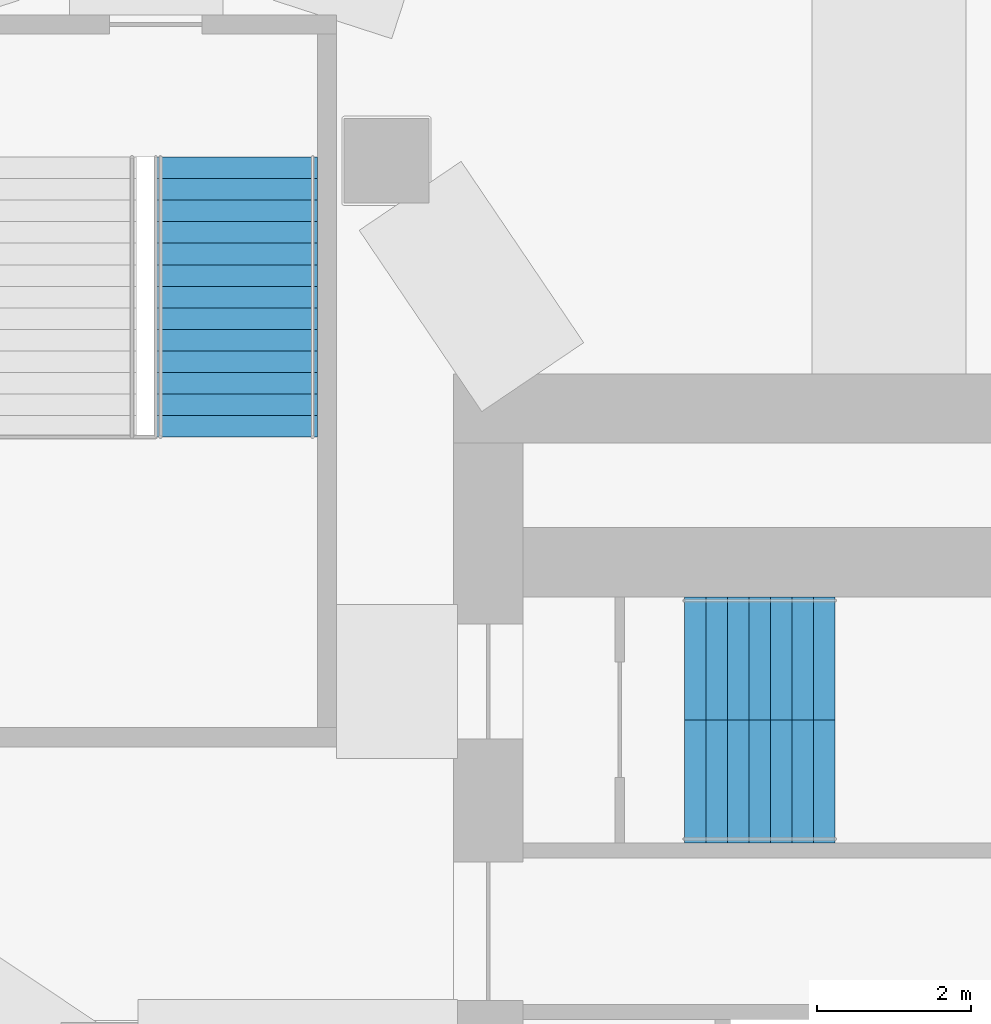
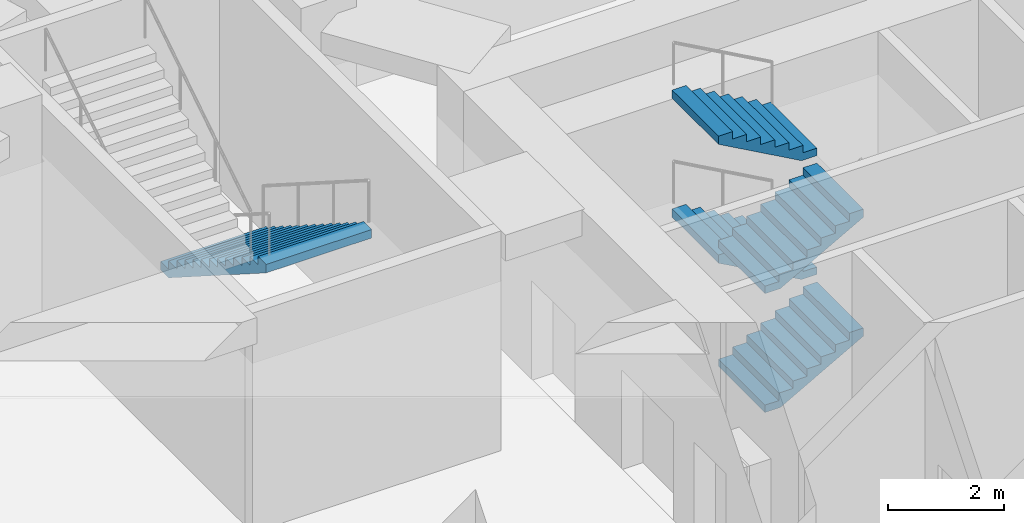
# One storey, part 26 of 30: 5 stair flights, 2 elements without a shape of their own.
"""IFC4 building model written with IfcOpenShell, lengths in metres."""

from ifc_helpers import new_model, si_unit, direction, frame, origin, place, context, subcontext, project, spatial, polyline, outline, extrude, material, type_object, element, aggregate, save


model = new_model("IFC4")

# Units and contexts
model_context = context("Model", 3, precision=1e-05, world=origin(), true_north=direction((0.0, 1.0)))
body_context = subcontext(model_context, "Body", "Model", "MODEL_VIEW")
ifc_project = project(units=[si_unit("LENGTHUNIT", "METRE"), si_unit("AREAUNIT", "SQUARE_METRE"), si_unit("VOLUMEUNIT", "CUBIC_METRE"), si_unit("PLANEANGLEUNIT", "RADIAN"), si_unit("MASSUNIT", "GRAM", prefix="KILO")], contexts=[model_context])

# Site, building, storey
site_placement = place(None, origin())
site = spatial("IfcSite", under=ifc_project, at=site_placement, CompositionType="ELEMENT")
building_placement = place(site_placement, origin())
building = spatial("IfcBuilding", under=site, at=building_placement, Name="Taillehof Tower", CompositionType="ELEMENT")
storey_placement = place(building_placement, frame((0.0, 0.0, 12.5)))
storey = spatial("IfcBuildingStorey", under=building, at=storey_placement, Name="L02", CompositionType="ELEMENT", Elevation=12.5)

# Stair, stair flights
ifc_material_1 = material(Name="Concrete C40/50", Category="concrete")
stair_type_1 = type_object("IfcStairType", Name="Exit stair half-turn", PredefinedType="HALF_TURN_STAIR", material=ifc_material_1)
stair_1_placement = place(storey_placement, origin())
stair_1 = element("IfcStair", 1, at=stair_1_placement, inside=storey, type_object=stair_type_1, Name="Exit stair S1", PredefinedType="HALF_TURN_STAIR")
ifc_material_2 = material(Name="Concrete C40/50", Category="concrete")
stair_flight_type_1 = type_object("IfcStairFlightType", Name="Stair flight 1600 riser 156.2 going 280", PredefinedType="STRAIGHT", material=ifc_material_2)
stair_flight_1_placement = place(storey_placement, frame((7.0, 6.699951171875, 0.0), z_axis=(0.0, 0.0, 1.0), x_axis=(1.0, 0.0, 0.0)))
stair_flight_1 = element("IfcStairFlight", 2, at=stair_flight_1_placement, type_object=stair_flight_type_1, Name="S1 flight 1", NumberOfRisers=8, NumberOfTreads=7, PredefinedType="STRAIGHT", RiserHeight=0.15625, TreadLength=0.28, context=body_context, shape_type="SweptSolid", body=[
    extrude(outline(polyline([(0.0, 0.0), (0.0, 0.00634765625), (0.0, 0.012451171875), (0.0, 0.018798828125), (0.0, 0.02490234375), (0.0, 0.03125), (0.0, 0.03759765625), (0.0, 0.043701171875), (0.0, 0.050048828125), (0.0, 0.05615234375), (0.0, 0.0625), (0.0, 0.06884765625), (0.0, 0.074951171875), (0.0, 0.081298828125), (0.0, 0.08740234375), (0.0, 0.09375), (0.0, 0.10009765625), (0.0, 0.106201171875), (0.0, 0.112548828125), (0.0, 0.11865234375), (0.0, 0.125), (0.0, 0.13134765625), (0.0, 0.137451171875), (0.0, 0.143798828125), (0.0, 0.14990234375), (0.0, 0.15625), (0.280029296875, 0.15625), (0.280029296875, 0.3125), (0.56005859375, 0.3125), (0.56005859375, 0.46875), (0.840087890625, 0.46875), (0.840087890625, 0.625), (1.1201171875, 0.625), (1.1201171875, 0.78125), (1.39990234375, 0.78125), (1.39990234375, 0.9375), (1.679931640625, 0.9375), (1.679931640625, 1.09375), (1.9599609375, 1.09375), (1.9599609375, 1.0869140625), (1.9599609375, 1.080078125), (1.9599609375, 1.0732421875), (1.9599609375, 1.066162109375), (1.9599609375, 1.059326171875), (1.9599609375, 1.052490234375), (1.9599609375, 1.045654296875), (1.9599609375, 1.038818359375), (1.9599609375, 1.031982421875), (1.9599609375, 1.025146484375), (1.9599609375, 1.018310546875), (1.9599609375, 1.01123046875), (1.9599609375, 1.00439453125), (1.9599609375, 0.99755859375), (1.9599609375, 0.99072265625), (1.9599609375, 0.98388671875), (1.9599609375, 0.97705078125), (1.9599609375, 0.97021484375), (1.9599609375, 0.96337890625), (1.9599609375, 0.956298828125), (1.9599609375, 0.949462890625), (1.9599609375, 0.942626953125), (1.9599609375, 0.935791015625), (1.9599609375, 0.928955078125), (1.9599609375, 0.922119140625), (0.3076171875, 0.0), (0.0, 0.0)])), frame((0.0, 0.800048828125, 0.0), z_axis=(0.0, -1.0, 0.0), x_axis=(1.0, 0.0, 0.0)), (0.0, 0.0, 1.0), 1.6),
])
stair_flight_2_placement = place(storey_placement, frame((8.9599609375, 8.300048828125, 1.25), z_axis=(0.0, 0.0, 1.0), x_axis=(-1.0, 0.0, 0.0)))
stair_flight_2 = element("IfcStairFlight", 3, at=stair_flight_2_placement, type_object=stair_flight_type_1, Name="S1 flight 2", NumberOfRisers=8, NumberOfTreads=7, PredefinedType="STRAIGHT", RiserHeight=0.15625, TreadLength=0.28, context=body_context, shape_type="SweptSolid", body=[
    extrude(outline(polyline([(0.0, 0.0), (0.0, 0.00634765625), (0.0, 0.012451171875), (0.0, 0.018798828125), (0.0, 0.02490234375), (0.0, 0.03125), (0.0, 0.03759765625), (0.0, 0.043701171875), (0.0, 0.050048828125), (0.0, 0.05615234375), (0.0, 0.0625), (0.0, 0.06884765625), (0.0, 0.074951171875), (0.0, 0.081298828125), (0.0, 0.08740234375), (0.0, 0.09375), (0.0, 0.10009765625), (0.0, 0.106201171875), (0.0, 0.112548828125), (0.0, 0.11865234375), (0.0, 0.125), (0.0, 0.13134765625), (0.0, 0.137451171875), (0.0, 0.143798828125), (0.0, 0.14990234375), (0.0, 0.15625), (0.280029296875, 0.15625), (0.280029296875, 0.3125), (0.56005859375, 0.3125), (0.56005859375, 0.46875), (0.840087890625, 0.46875), (0.840087890625, 0.625), (1.1201171875, 0.625), (1.1201171875, 0.78125), (1.39990234375, 0.78125), (1.39990234375, 0.9375), (1.679931640625, 0.9375), (1.679931640625, 1.09375), (1.9599609375, 1.09375), (1.9599609375, 1.0869140625), (1.9599609375, 1.080078125), (1.9599609375, 1.0732421875), (1.9599609375, 1.066162109375), (1.9599609375, 1.059326171875), (1.9599609375, 1.052490234375), (1.9599609375, 1.045654296875), (1.9599609375, 1.038818359375), (1.9599609375, 1.031982421875), (1.9599609375, 1.025146484375), (1.9599609375, 1.018310546875), (1.9599609375, 1.01123046875), (1.9599609375, 1.00439453125), (1.9599609375, 0.99755859375), (1.9599609375, 0.99072265625), (1.9599609375, 0.98388671875), (1.9599609375, 0.97705078125), (1.9599609375, 0.97021484375), (1.9599609375, 0.96337890625), (1.9599609375, 0.956298828125), (1.9599609375, 0.949462890625), (1.9599609375, 0.942626953125), (1.9599609375, 0.935791015625), (1.9599609375, 0.928955078125), (1.9599609375, 0.922119140625), (0.3076171875, 0.0), (0.0, 0.0)])), frame((0.0, 0.800048828125, 0.0), z_axis=(0.0, -1.0, 0.0), x_axis=(1.0, 0.0, 0.0)), (0.0, 0.0, 1.0), 1.6),
])
stair_flight_3_placement = place(storey_placement, frame((7.0, 6.699951171875, 2.5), z_axis=(0.0, 0.0, 1.0), x_axis=(1.0, 0.0, 0.0)))
stair_flight_3 = element("IfcStairFlight", 4, at=stair_flight_3_placement, type_object=stair_flight_type_1, Name="S1 flight 3", NumberOfRisers=8, NumberOfTreads=7, PredefinedType="STRAIGHT", RiserHeight=0.15625, TreadLength=0.28, context=body_context, shape_type="SweptSolid", body=[
    extrude(outline(polyline([(0.0, 0.0), (0.0, 0.00634765625), (0.0, 0.012451171875), (0.0, 0.018798828125), (0.0, 0.02490234375), (0.0, 0.03125), (0.0, 0.03759765625), (0.0, 0.043701171875), (0.0, 0.050048828125), (0.0, 0.05615234375), (0.0, 0.0625), (0.0, 0.06884765625), (0.0, 0.074951171875), (0.0, 0.081298828125), (0.0, 0.08740234375), (0.0, 0.09375), (0.0, 0.10009765625), (0.0, 0.106201171875), (0.0, 0.112548828125), (0.0, 0.11865234375), (0.0, 0.125), (0.0, 0.13134765625), (0.0, 0.137451171875), (0.0, 0.143798828125), (0.0, 0.14990234375), (0.0, 0.15625), (0.280029296875, 0.15625), (0.280029296875, 0.3125), (0.56005859375, 0.3125), (0.56005859375, 0.46875), (0.840087890625, 0.46875), (0.840087890625, 0.625), (1.1201171875, 0.625), (1.1201171875, 0.78125), (1.39990234375, 0.78125), (1.39990234375, 0.9375), (1.679931640625, 0.9375), (1.679931640625, 1.09375), (1.9599609375, 1.09375), (1.9599609375, 1.0869140625), (1.9599609375, 1.080078125), (1.9599609375, 1.0732421875), (1.9599609375, 1.066162109375), (1.9599609375, 1.059326171875), (1.9599609375, 1.052490234375), (1.9599609375, 1.045654296875), (1.9599609375, 1.038818359375), (1.9599609375, 1.031982421875), (1.9599609375, 1.025146484375), (1.9599609375, 1.018310546875), (1.9599609375, 1.01123046875), (1.9599609375, 1.00439453125), (1.9599609375, 0.99755859375), (1.9599609375, 0.99072265625), (1.9599609375, 0.98388671875), (1.9599609375, 0.97705078125), (1.9599609375, 0.97021484375), (1.9599609375, 0.96337890625), (1.9599609375, 0.956298828125), (1.9599609375, 0.949462890625), (1.9599609375, 0.942626953125), (1.9599609375, 0.935791015625), (1.9599609375, 0.928955078125), (1.9599609375, 0.922119140625), (0.3076171875, 0.0), (0.0, 0.0)])), frame((0.0, 0.800048828125, 0.0), z_axis=(0.0, -1.0, 0.0), x_axis=(1.0, 0.0, 0.0)), (0.0, 0.0, 1.0), 1.6),
])
stair_flight_4_placement = place(storey_placement, frame((8.9599609375, 8.300048828125, 3.75), z_axis=(0.0, 0.0, 1.0), x_axis=(-1.0, 0.0, 0.0)))
stair_flight_4 = element("IfcStairFlight", 5, at=stair_flight_4_placement, type_object=stair_flight_type_1, Name="S1 flight 4", NumberOfRisers=8, NumberOfTreads=7, PredefinedType="STRAIGHT", RiserHeight=0.15625, TreadLength=0.28, context=body_context, shape_type="SweptSolid", body=[
    extrude(outline(polyline([(0.0, 0.0), (0.0, 0.00634765625), (0.0, 0.012451171875), (0.0, 0.018798828125), (0.0, 0.02490234375), (0.0, 0.03125), (0.0, 0.03759765625), (0.0, 0.043701171875), (0.0, 0.050048828125), (0.0, 0.05615234375), (0.0, 0.0625), (0.0, 0.06884765625), (0.0, 0.074951171875), (0.0, 0.081298828125), (0.0, 0.08740234375), (0.0, 0.09375), (0.0, 0.10009765625), (0.0, 0.106201171875), (0.0, 0.112548828125), (0.0, 0.11865234375), (0.0, 0.125), (0.0, 0.13134765625), (0.0, 0.137451171875), (0.0, 0.143798828125), (0.0, 0.14990234375), (0.0, 0.15625), (0.280029296875, 0.15625), (0.280029296875, 0.3125), (0.56005859375, 0.3125), (0.56005859375, 0.46875), (0.840087890625, 0.46875), (0.840087890625, 0.625), (1.1201171875, 0.625), (1.1201171875, 0.78125), (1.39990234375, 0.78125), (1.39990234375, 0.9375), (1.679931640625, 0.9375), (1.679931640625, 1.09375), (1.9599609375, 1.09375), (1.9599609375, 1.0869140625), (1.9599609375, 1.080078125), (1.9599609375, 1.0732421875), (1.9599609375, 1.066162109375), (1.9599609375, 1.059326171875), (1.9599609375, 1.052490234375), (1.9599609375, 1.045654296875), (1.9599609375, 1.038818359375), (1.9599609375, 1.031982421875), (1.9599609375, 1.025146484375), (1.9599609375, 1.018310546875), (1.9599609375, 1.01123046875), (1.9599609375, 1.00439453125), (1.9599609375, 0.99755859375), (1.9599609375, 0.99072265625), (1.9599609375, 0.98388671875), (1.9599609375, 0.97705078125), (1.9599609375, 0.97021484375), (1.9599609375, 0.96337890625), (1.9599609375, 0.956298828125), (1.9599609375, 0.949462890625), (1.9599609375, 0.942626953125), (1.9599609375, 0.935791015625), (1.9599609375, 0.928955078125), (1.9599609375, 0.922119140625), (0.3076171875, 0.0), (0.0, 0.0)])), frame((0.0, 0.800048828125, 0.0), z_axis=(0.0, -1.0, 0.0), x_axis=(1.0, 0.0, 0.0)), (0.0, 0.0, 1.0), 1.6),
])
aggregate(stair_1, [stair_flight_1, stair_flight_2, stair_flight_3, stair_flight_4])

# Stair, stair flight
ifc_material_3 = material(Name="Concrete C30/37", Category="concrete")
stair_type_2 = type_object("IfcStairType", Name="Escape stair 2100 mm", PredefinedType="HALF_TURN_STAIR", material=ifc_material_3)
stair_2_placement = place(storey_placement, origin())
stair_2 = element("IfcStair", 6, at=stair_2_placement, inside=storey, type_object=stair_type_2, Name="Escape stair P1", PredefinedType="HALF_TURN_STAIR")
ifc_material_4 = material(Name="Concrete C30/37", Category="concrete")
stair_flight_type_2 = type_object("IfcStairFlightType", Name="Stair flight 2100 mm", PredefinedType="STRAIGHT", material=ifc_material_4)
stair_flight_5_placement = place(storey_placement, frame((1.175048828125, 14.820068359375, 0.0), z_axis=(0.0, 0.0, 1.0), x_axis=(0.0, -1.0, 0.0)))
stair_flight_5 = element("IfcStairFlight", 7, at=stair_flight_5_placement, type_object=stair_flight_type_2, Name="P1 flight 1", NumberOfRisers=14, NumberOfTreads=13, PredefinedType="STRAIGHT", RiserHeight=0.178571429, TreadLength=0.28, context=body_context, shape_type="SweptSolid", body=[
    extrude(outline(polyline([(0.0, 0.0), (0.0, 0.004150390625), (0.0, 0.00830078125), (0.0, 0.012451171875), (0.0, 0.0166015625), (0.0, 0.020751953125), (0.0, 0.02490234375), (0.0, 0.029052734375), (0.0, 0.033203125), (0.0, 0.037353515625), (0.0, 0.04150390625), (0.0, 0.045654296875), (0.0, 0.0498046875), (0.0, 0.053955078125), (0.0, 0.05810546875), (0.0, 0.062255859375), (0.0, 0.06640625), (0.0, 0.070556640625), (0.0, 0.07470703125), (0.0, 0.078857421875), (0.0, 0.0830078125), (0.0, 0.087158203125), (0.0, 0.09130859375), (0.0, 0.095458984375), (0.0, 0.099609375), (0.0, 0.103759765625), (0.0, 0.10791015625), (0.0, 0.112060546875), (0.0, 0.1162109375), (0.0, 0.120361328125), (0.0, 0.12451171875), (0.0, 0.128662109375), (0.0, 0.1328125), (0.0, 0.136962890625), (0.0, 0.14111328125), (0.0, 0.145263671875), (0.0, 0.1494140625), (0.0, 0.153564453125), (0.0, 0.15771484375), (0.0, 0.161865234375), (0.0, 0.166015625), (0.0, 0.170166015625), (0.0, 0.17431640625), (0.0, 0.178466796875), (0.280029296875, 0.178466796875), (0.280029296875, 0.357177734375), (0.56005859375, 0.357177734375), (0.56005859375, 0.53564453125), (0.840087890625, 0.53564453125), (0.840087890625, 0.71435546875), (1.1201171875, 0.71435546875), (1.1201171875, 0.892822265625), (1.39990234375, 0.892822265625), (1.39990234375, 1.071533203125), (1.679931640625, 1.071533203125), (1.679931640625, 1.25), (1.9599609375, 1.25), (1.9599609375, 1.428466796875), (2.239990234375, 1.428466796875), (2.239990234375, 1.607177734375), (2.52001953125, 1.607177734375), (2.52001953125, 1.78564453125), (2.800048828125, 1.78564453125), (2.800048828125, 1.96435546875), (3.080078125, 1.96435546875), (3.080078125, 2.142822265625), (3.360107421875, 2.142822265625), (3.360107421875, 2.321533203125), (3.639892578125, 2.321533203125), (3.639892578125, 2.3173828125), (3.639892578125, 2.313232421875), (3.639892578125, 2.30908203125), (3.639892578125, 2.304931640625), (3.639892578125, 2.30078125), (3.639892578125, 2.296630859375), (3.639892578125, 2.29248046875), (3.639892578125, 2.288330078125), (3.639892578125, 2.2841796875), (3.639892578125, 2.280029296875), (3.639892578125, 2.27587890625), (3.639892578125, 2.271728515625), (3.639892578125, 2.267578125), (3.639892578125, 2.263427734375), (3.639892578125, 2.259521484375), (3.639892578125, 2.25537109375), (3.639892578125, 2.251220703125), (3.639892578125, 2.2470703125), (3.639892578125, 2.242919921875), (3.639892578125, 2.23876953125), (3.639892578125, 2.234619140625), (3.639892578125, 2.23046875), (3.639892578125, 2.226318359375), (3.639892578125, 2.22216796875), (3.639892578125, 2.218017578125), (3.639892578125, 2.2138671875), (3.639892578125, 2.209716796875), (3.639892578125, 2.20556640625), (3.639892578125, 2.201416015625), (3.639892578125, 2.197265625), (3.639892578125, 2.193359375), (3.639892578125, 2.189208984375), (3.639892578125, 2.18505859375), (3.639892578125, 2.180908203125), (3.639892578125, 2.1767578125), (3.639892578125, 2.172607421875), (3.639892578125, 2.16845703125), (3.639892578125, 2.164306640625), (3.639892578125, 2.16015625), (3.639892578125, 2.156005859375), (3.639892578125, 2.15185546875), (3.639892578125, 2.147705078125), (3.639892578125, 2.1435546875), (0.27880859375, 0.0), (0.0, 0.0)])), frame((0.0, 1.050048828125, 0.0), z_axis=(0.0, -1.0, 0.0), x_axis=(1.0, 0.0, 0.0)), (0.0, 0.0, 1.0), 2.1),
])
aggregate(stair_2, [stair_flight_5])

save(model, "model.ifc")
